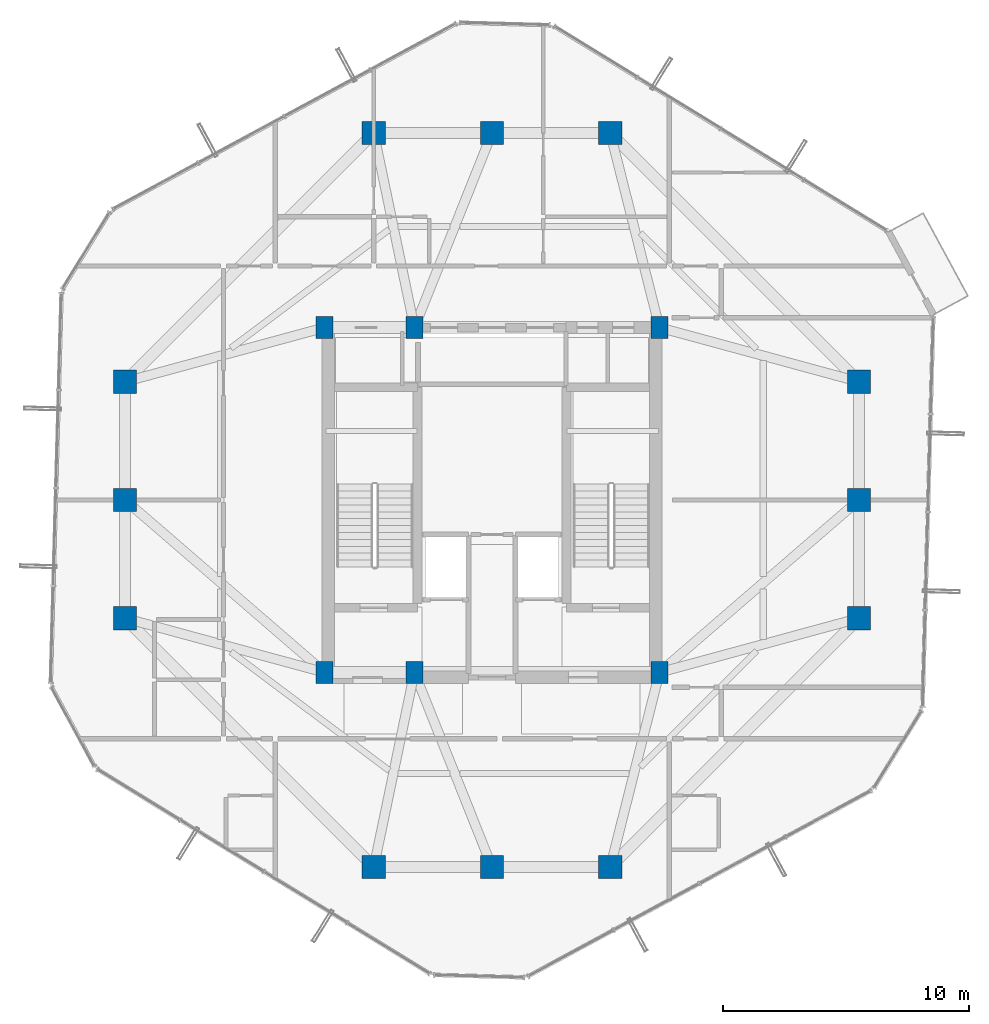
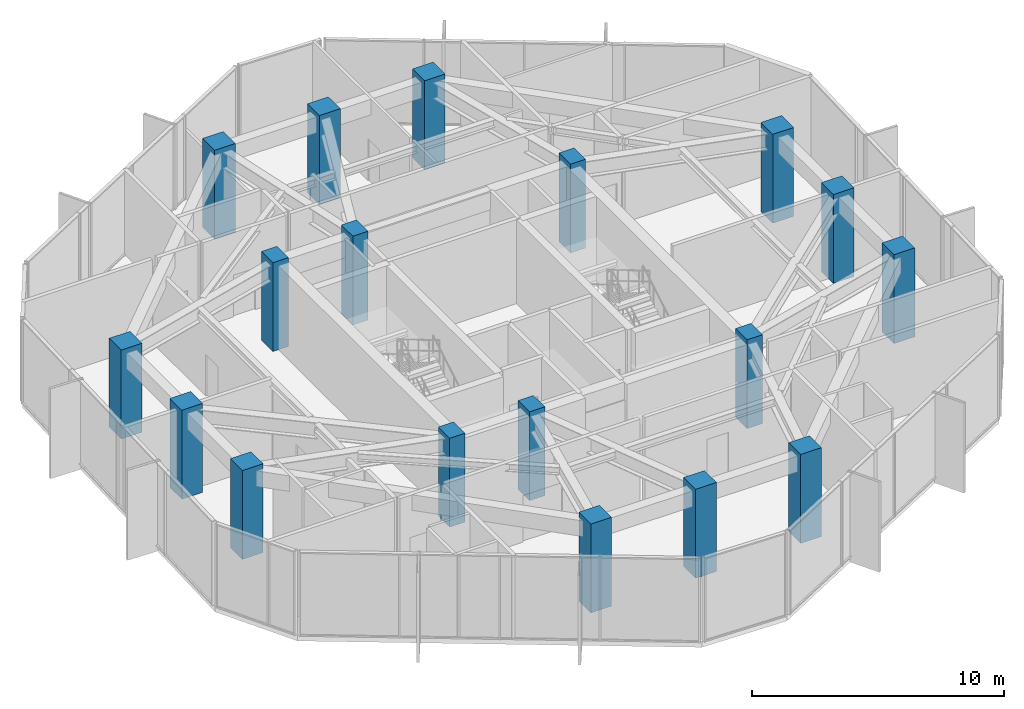
# One storey, part 1 of 22: 18 columns.
"""IFC4 building model written with IfcOpenShell, lengths in metres."""

from ifc_helpers import new_model, si_unit, direction, frame, origin, origin_2d, place, context, subcontext, project, spatial, rectangle, extrude, material, material_profile, profile_set, type_object, element, save


model = new_model("IFC4")

# Units and contexts
model_context = context("Model", 3, precision=1e-05, world=origin(), true_north=direction((0.0, 1.0)))
body_context = subcontext(model_context, "Body", "Model", "MODEL_VIEW")
ifc_project = project(units=[si_unit("LENGTHUNIT", "METRE"), si_unit("AREAUNIT", "SQUARE_METRE"), si_unit("VOLUMEUNIT", "CUBIC_METRE"), si_unit("PLANEANGLEUNIT", "RADIAN"), si_unit("MASSUNIT", "GRAM", prefix="KILO")], contexts=[model_context])

# Site, building, storey
site_placement = place(None, origin())
site = spatial("IfcSite", under=ifc_project, at=site_placement, CompositionType="ELEMENT")
building_placement = place(site_placement, origin())
building = spatial("IfcBuilding", under=site, at=building_placement, Name="Veraguas Prism Commons", CompositionType="ELEMENT")
storey_placement = place(building_placement, frame((0.0, 0.0, 211.35009765625)))
storey = spatial("IfcBuildingStorey", under=building, at=storey_placement, Name="L60", CompositionType="ELEMENT", Elevation=211.35009765625)

# Columns
ifc_material = material(Name="Concrete C50/60", Category="concrete")
ifc_material_profile_1 = material_profile(ifc_material, rectangle(XDim=0.949951171875, YDim=0.949951171875, at=origin_2d()), Name="RC950X950")
ifc_profile_set_1 = profile_set([ifc_material_profile_1], Name="Concrete C50/60")
column_type_1 = type_object("IfcColumnType", Name="Column Tube Z3 RC 950x950", PredefinedType="COLUMN", material=ifc_profile_set_1)
for number, where, z_axis, x_axis, name in (
    (1, (38.89990234375, 19.199951171875, 0.0), (0.0, 0.0, 1.0), (1.0, 0.0, 0.0), "Tower Perimeter Column L60-TB01"),
    (2, (38.89990234375, 24.0, 0.0), (0.0, 0.0, 1.0), (1.0, 0.0, 0.0), "Tower Perimeter Column L60-TB02"),
    (3, (38.89990234375, 28.800048828125, 0.0), (0.0, 0.0, 1.0), (1.0, 0.0, 0.0), "Tower Perimeter Column L60-TB03"),
    (4, (28.800048828125, 38.89990234375, 0.0), (0.0, 0.0, 1.0), (1.0, 0.0, 0.0), "Tower Perimeter Column L60-TB04"),
    (5, (24.0, 38.89990234375, 0.0), (0.0, 0.0, 1.0), (1.0, 0.0, 0.0), "Tower Perimeter Column L60-TB05"),
    (6, (19.199951171875, 38.89990234375, 0.0), (0.0, 0.0, 1.0), (1.0, 0.0, 0.0), "Tower Perimeter Column L60-TB06"),
    (7, (9.10009765625, 28.800048828125, 0.0), (0.0, 0.0, 1.0), (1.0, 0.0, 0.0), "Tower Perimeter Column L60-TB07"),
    (8, (9.10009765625, 24.0, 0.0), (0.0, 0.0, 1.0), (1.0, 0.0, 0.0), "Tower Perimeter Column L60-TB08"),
    (9, (9.10009765625, 19.199951171875, 0.0), (0.0, 0.0, 1.0), (1.0, 0.0, 0.0), "Tower Perimeter Column L60-TB09"),
    (10, (19.199951171875, 9.10009765625, 0.0), (0.0, 0.0, 1.0), (1.0, 0.0, 0.0), "Tower Perimeter Column L60-TB10"),
    (11, (24.0, 9.10009765625, 0.0), (0.0, 0.0, 1.0), (1.0, 0.0, 0.0), "Tower Perimeter Column L60-TB11"),
    (12, (28.800048828125, 9.10009765625, 0.0), (0.0, 0.0, 1.0), (1.0, 0.0, 0.0), "Tower Perimeter Column L60-TB12"),
):
    element("IfcColumn", number, at=place(storey_placement, frame(where, z_axis=z_axis, x_axis=x_axis)), inside=storey, type_object=column_type_1, Name=name, PredefinedType="COLUMN", context=body_context, shape_type="SweptSolid", body=[
        extrude(rectangle(XDim=0.949951171875, YDim=0.949951171875, at=origin_2d()), origin(), (0.0, 0.0, 1.0), 4.2998046875),
    ])
ifc_material_profile_2 = material_profile(ifc_material, rectangle(XDim=0.699951171875, YDim=0.89990234375, at=origin_2d()), Name="RC700X900")
ifc_profile_set_2 = profile_set([ifc_material_profile_2], Name="Concrete C50/60")
column_type_2 = type_object("IfcColumnType", Name="Pilaster Core Upper RC 700x900", PredefinedType="PILASTER", material=ifc_profile_set_2)
for number, where, z_axis, x_axis, name in (
    (13, (17.199951171875, 17.0, 0.0), (0.0, 0.0, 1.0), (1.0, 0.0, 0.0), "Core Pilaster Column L60-CR1"),
    (14, (20.85009765625, 17.0, 0.0), (0.0, 0.0, 1.0), (1.0, 0.0, 0.0), "Core Pilaster Column L60-CR2"),
    (15, (30.800048828125, 17.0, 0.0), (0.0, 0.0, 1.0), (1.0, 0.0, 0.0), "Core Pilaster Column L60-CR3"),
    (16, (17.199951171875, 31.0, 0.0), (0.0, 0.0, 1.0), (1.0, 0.0, 0.0), "Core Pilaster Column L60-CR4"),
    (17, (20.85009765625, 31.0, 0.0), (0.0, 0.0, 1.0), (1.0, 0.0, 0.0), "Core Pilaster Column L60-CR5"),
    (18, (30.800048828125, 31.0, 0.0), (0.0, 0.0, 1.0), (1.0, 0.0, 0.0), "Core Pilaster Column L60-CR6"),
):
    element("IfcColumn", number, at=place(storey_placement, frame(where, z_axis=z_axis, x_axis=x_axis)), inside=storey, type_object=column_type_2, Name=name, PredefinedType="PILASTER", context=body_context, shape_type="SweptSolid", body=[
        extrude(rectangle(XDim=0.699951171875, YDim=0.89990234375, at=origin_2d()), origin(), (0.0, 0.0, 1.0), 4.2998046875),
    ])

save(model, "model.ifc")
